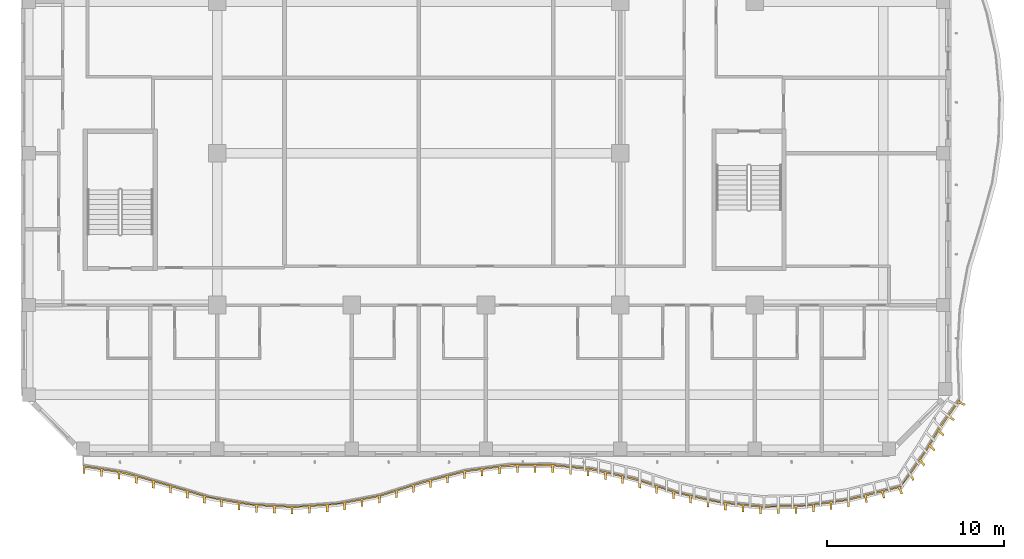
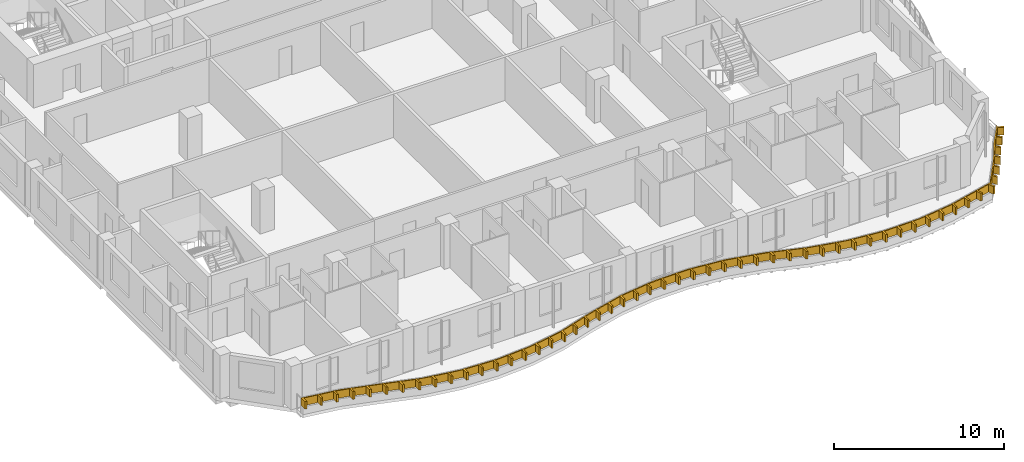
# One storey, part 15 of 21: 1 shading device.
"""IFC4 building model written with IfcOpenShell, lengths in metres."""

from ifc_helpers import new_model, si_unit, direction, frame, origin, place, context, subcontext, project, spatial, polyline, outline, extrude, source, transform, mapped, material, layer, layer_set, type_object, element, save


model = new_model("IFC4")

# Units and contexts
model_context = context("Model", 3, precision=1e-05, world=origin(), true_north=direction((0.0, 1.0)))
body_context = subcontext(model_context, "Body", "Model", "MODEL_VIEW")
ifc_project = project(units=[si_unit("LENGTHUNIT", "METRE"), si_unit("AREAUNIT", "SQUARE_METRE"), si_unit("VOLUMEUNIT", "CUBIC_METRE"), si_unit("PLANEANGLEUNIT", "RADIAN"), si_unit("MASSUNIT", "GRAM", prefix="KILO")], contexts=[model_context])

# Site, building, storey
site_placement = place(None, origin())
site = spatial("IfcSite", under=ifc_project, at=site_placement, CompositionType="ELEMENT")
building_placement = place(site_placement, origin())
building = spatial("IfcBuilding", under=site, at=building_placement, Name="Kilnfold Tower and Market Hall", CompositionType="ELEMENT")
storey_placement = place(building_placement, frame((0.0, 0.0, 210.10009765625)))
storey = spatial("IfcBuildingStorey", under=building, at=storey_placement, Name="L51", CompositionType="ELEMENT", Elevation=210.10009765625)

# Shading device
ifc_material = material(Name="Bronze anodised aluminium", Category="aluminium")
ifc_layer = layer(ifc_material, 0.550048828125)
ifc_layer_set = layer_set([ifc_layer], Name="Bronze anodised aluminium")
shading_device_type = type_object("IfcShadingDeviceType", Name="BRONZE SLAT FASCIA 550", PredefinedType="USERDEFINED", material=ifc_layer_set)
shared_shape = source(origin(), body_context, "Body", "SweptSolid", [
    extrude(outline(polyline([(-17.75, -27.1953125), (-17.75, -26.745361328125), (-15.355224609375, -27.125244140625), (-12.96044921875, -27.81201171875), (-10.56591796875, -28.526611328125), (-8.171142578125, -28.932861328125), (-5.7763671875, -29.048583984375), (-3.381591796875, -28.879150390625), (-0.98681640625, -28.416748046875), (1.407958984375, -27.658447265625), (3.802490234375, -27.03125), (6.197509765625, -26.70654296875), (8.592041015625, -26.66943359375), (10.98681640625, -26.918701171875), (13.381591796875, -27.46484375), (15.7763671875, -28.246337890625), (18.171142578125, -28.78759765625), (20.56591796875, -29.0322265625), (22.96044921875, -28.990478515625), (25.355224609375, -28.660888671875), (28.4306640625, -27.893310546875), (29.78515625, -25.95166015625), (30.65966796875, -24.492919921875), (31.743896484375, -22.973388671875), (31.7314453125, -23.123779296875), (32.067138671875, -23.276123046875), (31.994140625, -23.37890625), (31.6630859375, -23.218994140625), (31.163818359375, -23.917724609375), (31.459716796875, -24.132080078125), (31.38671875, -24.23486328125), (31.095947265625, -24.01318359375), (30.60986328125, -24.726806640625), (30.87158203125, -24.988525390625), (30.809814453125, -25.091552734375), (30.548095703125, -24.829833984375), (30.095703125, -25.584716796875), (30.357421875, -25.84619140625), (30.295654296875, -25.94921875), (30.033935546875, -25.6875), (29.554443359375, -26.413330078125), (29.792236328125, -26.69287109375), (29.718505859375, -26.793212890625), (29.486328125, -26.509521484375), (28.988525390625, -27.21533203125), (29.17724609375, -27.528564453125), (29.103515625, -27.62890625), (28.9208984375, -27.31201171875), (28.398193359375, -27.98291015625), (28.537109375, -28.325439453125), (28.4169921875, -28.35498046875), (28.283447265625, -28.010986328125), (27.44140625, -28.21923828125), (27.537109375, -28.572265625), (27.417236328125, -28.601806640625), (27.32666015625, -28.247802734375), (26.4853515625, -28.457275390625), (26.537109375, -28.819091796875), (26.417236328125, -28.848876953125), (26.37060546875, -28.486083984375), (25.529296875, -28.697265625), (25.537109375, -29.066162109375), (25.417236328125, -29.095703125), (25.41455078125, -28.72607421875), (24.544921875, -28.8525390625), (24.544921875, -29.222412109375), (24.426025390625, -29.239013671875), (24.426025390625, -28.868896484375), (23.55419921875, -28.989013671875), (23.55419921875, -29.35888671875), (23.435302734375, -29.375244140625), (23.435302734375, -29.00537109375), (22.559814453125, -29.07763671875), (22.559814453125, -29.447509765625), (22.43994140625, -29.44970703125), (22.43994140625, -29.07958984375), (21.56005859375, -29.094970703125), (21.56005859375, -29.46484375), (21.43994140625, -29.467041015625), (21.43994140625, -29.096923828125), (20.560302734375, -29.111572265625), (20.560302734375, -29.481689453125), (20.44091796875, -29.469482421875), (20.44091796875, -29.099365234375), (19.565185546875, -29.010009765625), (19.565185546875, -29.380126953125), (19.446044921875, -29.367919921875), (19.446044921875, -28.997802734375), (18.570556640625, -28.908447265625), (18.570556640625, -29.278564453125), (18.451171875, -29.266357421875), (18.451171875, -28.896240234375), (17.58740234375, -28.735595703125), (17.58740234375, -29.105712890625), (17.47021484375, -29.079345703125), (17.47021484375, -28.709228515625), (16.61181640625, -28.515380859375), (16.61181640625, -28.88525390625), (16.494873046875, -28.85888671875), (16.494873046875, -28.48876953125), (15.64013671875, -28.281982421875), (15.64013671875, -28.65185546875), (15.52587890625, -28.61474609375), (15.52587890625, -28.24462890625), (14.689453125, -27.9716796875), (14.689453125, -28.341796875), (14.5751953125, -28.304443359375), (14.5751953125, -27.9345703125), (13.73876953125, -27.66162109375), (13.73876953125, -28.031494140625), (13.624755859375, -27.994140625), (13.624755859375, -27.624267578125), (12.77294921875, -27.406005859375), (12.77294921875, -27.776123046875), (12.656005859375, -27.74951171875), (12.656005859375, -27.37939453125), (11.798095703125, -27.18359375), (11.798095703125, -27.5537109375), (11.680908203125, -27.527099609375), (11.680908203125, -27.156982421875), (10.819580078125, -26.981201171875), (10.819580078125, -27.351318359375), (10.700439453125, -27.3388671875), (10.700439453125, -26.96875), (9.8251953125, -26.877685546875), (9.8251953125, -27.247802734375), (9.705810546875, -27.2353515625), (9.705810546875, -26.865234375), (8.83056640625, -26.7744140625), (8.83056640625, -27.144287109375), (8.711181640625, -27.1318359375), (8.711181640625, -26.761962890625), (7.831787109375, -26.76123046875), (7.831787109375, -27.131103515625), (7.7119140625, -27.133056640625), (7.7119140625, -26.76318359375), (6.83203125, -26.776611328125), (6.83203125, -27.146728515625), (6.7119140625, -27.1484375), (6.7119140625, -26.778564453125), (5.835205078125, -26.835693359375), (5.835205078125, -27.20556640625), (5.71630859375, -27.2216796875), (5.71630859375, -26.851806640625), (4.844482421875, -26.969970703125), (4.844482421875, -27.340087890625), (4.7255859375, -27.356201171875), (4.7255859375, -26.986083984375), (3.853515625, -27.1044921875), (3.853515625, -27.474365234375), (3.736083984375, -27.498779296875), (3.736083984375, -27.128662109375), (2.885009765625, -27.351806640625), (2.885009765625, -27.7216796875), (2.768798828125, -27.752197265625), (2.768798828125, -27.382080078125), (1.91748046875, -27.60498046875), (1.91748046875, -27.97509765625), (1.801513671875, -28.00537109375), (1.801513671875, -27.635498046875), (0.956787109375, -27.88134765625), (0.956787109375, -28.251220703125), (0.84228515625, -28.28759765625), (0.84228515625, -27.91748046875), (0.00341796875, -28.18310546875), (0.00341796875, -28.55322265625), (-0.11083984375, -28.589599609375), (-0.11083984375, -28.219482421875), (-0.949951171875, -28.485107421875), (-0.949951171875, -28.85498046875), (-0.98681640625, -28.86669921875), (-1.066650390625, -28.882080078125), (-1.066650390625, -28.51220703125), (-1.9306640625, -28.678955078125), (-1.9306640625, -29.049072265625), (-2.048583984375, -29.07177734375), (-2.048583984375, -28.701904296875), (-2.91259765625, -28.86865234375), (-2.91259765625, -29.238525390625), (-3.0302734375, -29.261474609375), (-3.0302734375, -28.891357421875), (-3.902587890625, -28.99609375), (-3.902587890625, -29.3662109375), (-4.022216796875, -29.37451171875), (-4.022216796875, -29.00439453125), (-4.89990234375, -29.066650390625), (-4.89990234375, -29.436767578125), (-5.019775390625, -29.4453125), (-5.019775390625, -29.0751953125), (-5.897705078125, -29.122802734375), (-5.897705078125, -29.492919921875), (-6.017578125, -29.487060546875), (-6.017578125, -29.116943359375), (-6.896484375, -29.074462890625), (-6.896484375, -29.444580078125), (-7.016357421875, -29.438720703125), (-7.016357421875, -29.068603515625), (-7.8955078125, -29.026123046875), (-7.8955078125, -29.396240234375), (-8.01513671875, -29.390380859375), (-8.01513671875, -29.0205078125), (-8.885009765625, -28.891845703125), (-8.885009765625, -29.26171875), (-9.003173828125, -29.24169921875), (-9.003173828125, -28.871826171875), (-9.870849609375, -28.724609375), (-9.870849609375, -29.094482421875), (-9.989013671875, -29.074462890625), (-9.989013671875, -28.70458984375), (-10.848388671875, -28.522216796875), (-10.848388671875, -28.892333984375), (-10.96337890625, -28.85791015625), (-10.96337890625, -28.488037109375), (-11.806884765625, -28.236328125), (-11.806884765625, -28.6064453125), (-11.921875, -28.572021484375), (-11.921875, -28.2021484375), (-12.764892578125, -27.950439453125), (-12.764892578125, -28.3203125), (-12.8798828125, -28.2861328125), (-12.8798828125, -27.916015625), (-13.7255859375, -27.672607421875), (-13.7255859375, -28.042724609375), (-13.841064453125, -28.009521484375), (-13.841064453125, -27.6396484375), (-14.68701171875, -27.39697265625), (-14.68701171875, -27.76708984375), (-14.80224609375, -27.73388671875), (-14.80224609375, -27.364013671875), (-15.65625, -27.15771484375), (-15.65625, -27.527587890625), (-15.774658203125, -27.5087890625), (-15.774658203125, -27.138671875), (-16.643798828125, -27.000732421875), (-16.643798828125, -27.370849609375), (-16.762451171875, -27.35205078125), (-16.762451171875, -26.98193359375), (-17.631591796875, -26.843994140625), (-17.631591796875, -27.214111328125), (-17.75, -27.1953125)])), origin(), (0.0, 0.0, 1.0), 0.550048828125),
])
shading_device_placement = place(storey_placement, frame((0.0, 0.0, 0.5498046875)))
element("IfcShadingDevice", 1, at=shading_device_placement, inside=storey, type_object=shading_device_type, Name="Balcony slat fascia L51", ObjectType="SLAT", PredefinedType="USERDEFINED", context=body_context, shape_type="MappedRepresentation", body=[
    mapped(shared_shape, transform((0.0, 0.0, 0.0))),
])

save(model, "model.ifc")
